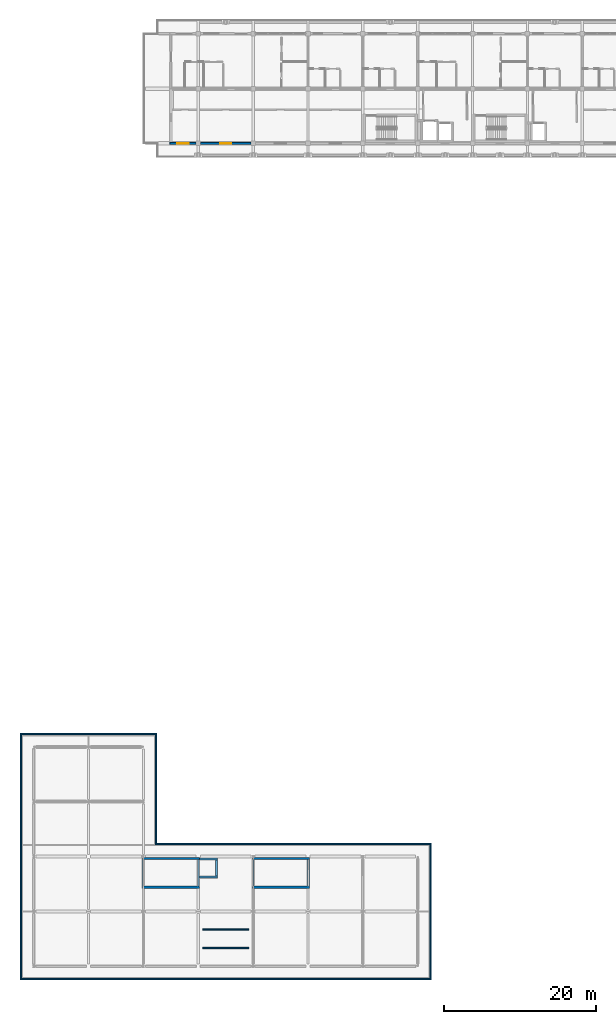
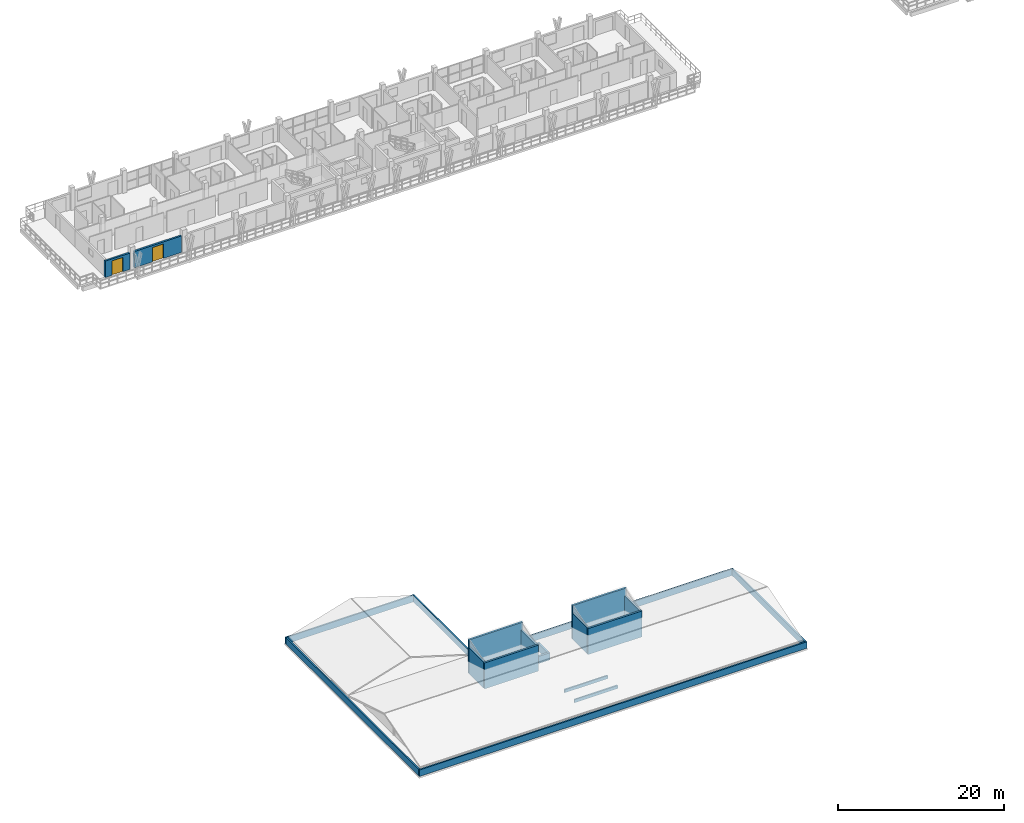
# One storey, part 34 of 60: 21 walls, 2 doors, 2 openings.
"""IFC4 building model written with IfcOpenShell, lengths in metres."""

from ifc_helpers import new_model, si_unit, direction, frame, frame_2d, origin, place, context, subcontext, project, spatial, rectangle, extrude, material, layer, layer_set, type_object, element, fill, save


model = new_model("IFC4")

# Units and contexts
model_context = context("Model", 3, precision=1e-05, world=origin(), true_north=direction((0.0, 1.0)))
body_context = subcontext(model_context, "Body", "Model", "MODEL_VIEW")
ifc_project = project(units=[si_unit("LENGTHUNIT", "METRE"), si_unit("AREAUNIT", "SQUARE_METRE"), si_unit("VOLUMEUNIT", "CUBIC_METRE"), si_unit("PLANEANGLEUNIT", "RADIAN"), si_unit("MASSUNIT", "GRAM", prefix="KILO")], contexts=[model_context])

# Site, building, storey
site_placement = place(None, origin())
site = spatial("IfcSite", under=ifc_project, at=site_placement, CompositionType="ELEMENT")
building_placement = place(site_placement, origin())
building = spatial("IfcBuilding", under=site, at=building_placement, Name="Suanplinth Sawtooth Commons", CompositionType="ELEMENT")
storey_placement = place(building_placement, frame((0.0, 0.0, 31.5)))
storey = spatial("IfcBuildingStorey", under=building, at=storey_placement, Name="L09", CompositionType="ELEMENT", Elevation=31.5)

# Wall, opening, door
ifc_material_1 = material(Name="Precast concrete C40/50", Category="concrete")
ifc_layer_1 = layer(ifc_material_1, 0.260009765625, Name="Insulated precast courtyard facade wall 260mm")
ifc_layer_set_1 = layer_set([ifc_layer_1], Name="Precast concrete C40/50")
wall_type_1 = type_object("IfcWallType", Name="W-EX02", PredefinedType="ELEMENTEDWALL", material=ifc_layer_set_1)
wall_1_placement = place(storey_placement, frame((17.8701171875, 108.0, 0.0), z_axis=(0.0, 0.0, 1.0), x_axis=(1.0, 0.0, 0.0)))
wall_1 = element("IfcWall", 1, at=wall_1_placement, inside=storey, type_object=wall_type_1, Name="Courtyard Wall W-L09-A-S-0", PredefinedType="ELEMENTEDWALL", context=body_context, shape_type="SweptSolid", body=[
    extrude(rectangle(XDim=3.429931640625, YDim=0.260009765625, at=frame_2d((1.71484375, 0.0))), origin(), (0.0, 0.0, 1.0), 2.4150390625),
])
opening_1_placement = place(wall_1_placement, frame((0.965087890625, 0.0, 0.0)))
opening_1 = element("IfcOpeningElement", 2, at=opening_1_placement, cuts=wall_1, Name="Opening ED0689", PredefinedType="OPENING", context=body_context, shape_type="SweptSolid", body=[
    extrude(rectangle(XDim=1.5, YDim=2.1201171875, at=frame_2d((0.75, 1.06005859375))), frame((0.0, 0.14501953125, 0.0), z_axis=(0.0, -1.0, 0.0), x_axis=(1.0, 0.0, 0.0)), (0.0, 0.0, 1.0), 0.289794921875),
])
ifc_material_2 = material(Name="Anodized aluminium and low-E glass", Category="aluminium")
door_type = type_object("IfcDoorType", Name="SD-03", OperationType="SLIDING_TO_LEFT", PredefinedType="DOOR", material=ifc_material_2)
door_1_placement = place(opening_1_placement, frame((1.5, 0.0, 0.0), z_axis=(0.0, 0.0, 1.0), x_axis=(-1.0, 0.0, 0.0)))
door_1 = element("IfcDoor", 3, at=door_1_placement, inside=storey, type_object=door_type, Name="Courtyard Balcony Sliding Door L09-A-S-0", OperationType="SLIDING_TO_LEFT", OverallHeight=2.1201171875, OverallWidth=1.5, PredefinedType="DOOR", context=body_context, shape_type="SweptSolid", body=[
    extrude(rectangle(XDim=1.5, YDim=2.1201171875, at=frame_2d((0.75, 1.06005859375))), frame((0.0, 0.02490234375, 0.0), z_axis=(0.0, -1.0, 0.0), x_axis=(1.0, 0.0, 0.0)), (0.0, 0.0, 1.0), 0.050048828125),
])
fill(opening_1, door_1)

wall_2_placement = place(storey_placement, frame((21.89990234375, 108.0, 0.0), z_axis=(0.0, 0.0, 1.0), x_axis=(1.0, 0.0, 0.0)))
wall_2 = element("IfcWall", 4, at=wall_2_placement, inside=storey, type_object=wall_type_1, Name="Courtyard Wall W-L09-A-S-1", PredefinedType="ELEMENTEDWALL", context=body_context, shape_type="SweptSolid", body=[
    extrude(rectangle(XDim=6.60009765625, YDim=0.260009765625, at=frame_2d((3.300048828125, 0.0))), origin(), (0.0, 0.0, 1.0), 2.4150390625),
])
opening_2_placement = place(wall_2_placement, frame((2.550048828125, 0.0, 0.0)))
opening_2 = element("IfcOpeningElement", 5, at=opening_2_placement, cuts=wall_2, Name="Opening ED0691", PredefinedType="OPENING", context=body_context, shape_type="SweptSolid", body=[
    extrude(rectangle(XDim=1.5, YDim=2.1201171875, at=frame_2d((0.75, 1.06005859375))), frame((0.0, 0.14501953125, 0.0), z_axis=(0.0, -1.0, 0.0), x_axis=(1.0, 0.0, 0.0)), (0.0, 0.0, 1.0), 0.289794921875),
])
door_2_placement = place(opening_2_placement, frame((1.5, 0.0, 0.0), z_axis=(0.0, 0.0, 1.0), x_axis=(-1.0, 0.0, 0.0)))
door_2 = element("IfcDoor", 6, at=door_2_placement, inside=storey, type_object=door_type, Name="Courtyard Balcony Sliding Door L09-A-S-1", OperationType="SLIDING_TO_LEFT", OverallHeight=2.1201171875, OverallWidth=1.5, PredefinedType="DOOR", context=body_context, shape_type="SweptSolid", body=[
    extrude(rectangle(XDim=1.5, YDim=2.1201171875, at=frame_2d((0.75, 1.06005859375))), frame((0.0, 0.02490234375, 0.0), z_axis=(0.0, -1.0, 0.0), x_axis=(1.0, 0.0, 0.0)), (0.0, 0.0, 1.0), 0.050048828125),
])
fill(opening_2, door_2)

# Walls
ifc_layer_2 = layer(ifc_material_1, 0.199951171875, Name="Roof perimeter precast parapet wall 200mm")
ifc_layer_set_2 = layer_set([ifc_layer_2], Name="Precast concrete C40/50")
wall_type_2 = type_object("IfcWallType", Name="W-PR01", PredefinedType="PARAPET", material=ifc_layer_set_2)
wall_3_placement = place(storey_placement, frame((-1.659912109375, -1.56005859375, 0.0), z_axis=(0.0, 0.0, 1.0), x_axis=(0.0, 1.0, 0.0)))
element("IfcWall", 7, at=wall_3_placement, inside=storey, type_object=wall_type_2, Name="L09 Block D Overhanging Roof Edge Parapet 1", PredefinedType="PARAPET", context=body_context, shape_type="SweptSolid", body=[
    extrude(rectangle(XDim=31.920166015625, YDim=0.199951171875, at=frame_2d((15.9599609375, 0.0))), origin(), (0.0, 0.0, 1.0), 0.949951171875),
])
wall_4_placement = place(storey_placement, frame((-1.760009765625, 30.4599609375, 0.0), z_axis=(0.0, 0.0, 1.0), x_axis=(1.0, 0.0, 0.0)))
element("IfcWall", 8, at=wall_4_placement, inside=storey, type_object=wall_type_2, Name="L09 Block D Overhanging Roof Edge Parapet 2", PredefinedType="PARAPET", context=body_context, shape_type="SweptSolid", body=[
    extrude(rectangle(XDim=17.919921875, YDim=0.199951171875, at=frame_2d((8.9599609375, 0.0))), origin(), (0.0, 0.0, 1.0), 0.949951171875),
])
wall_5_placement = place(storey_placement, frame((16.06005859375, 30.360107421875, 0.0), z_axis=(0.0, 0.0, 1.0), x_axis=(0.0, -1.0, 0.0)))
element("IfcWall", 9, at=wall_5_placement, inside=storey, type_object=wall_type_2, Name="L09 Block D Overhanging Roof Edge Parapet 3", PredefinedType="PARAPET", context=body_context, shape_type="SweptSolid", body=[
    extrude(rectangle(XDim=14.2001953125, YDim=0.199951171875, at=frame_2d((7.10009765625, 0.0))), origin(), (0.0, 0.0, 1.0), 0.949951171875),
])
wall_6_placement = place(storey_placement, frame((15.9599609375, 16.06005859375, 0.0), z_axis=(0.0, 0.0, 1.0), x_axis=(1.0, 0.0, 0.0)))
element("IfcWall", 10, at=wall_6_placement, inside=storey, type_object=wall_type_2, Name="L09 Block D Overhanging Roof Edge Parapet 4", PredefinedType="PARAPET", context=body_context, shape_type="SweptSolid", body=[
    extrude(rectangle(XDim=36.199951171875, YDim=0.199951171875, at=frame_2d((18.10009765625, 0.0))), origin(), (0.0, 0.0, 1.0), 0.949951171875),
])
wall_7_placement = place(storey_placement, frame((52.06005859375, 15.9599609375, 0.0), z_axis=(0.0, 0.0, 1.0), x_axis=(0.0, -1.0, 0.0)))
element("IfcWall", 11, at=wall_7_placement, inside=storey, type_object=wall_type_2, Name="L09 Block D Overhanging Roof Edge Parapet 5", PredefinedType="PARAPET", context=body_context, shape_type="SweptSolid", body=[
    extrude(rectangle(XDim=17.52001953125, YDim=0.199951171875, at=frame_2d((8.760009765625, 0.0))), origin(), (0.0, 0.0, 1.0), 0.949951171875),
])
wall_8_placement = place(storey_placement, frame((52.159912109375, -1.659912109375, 0.0), z_axis=(0.0, 0.0, 1.0), x_axis=(-1.0, 0.0, 0.0)))
element("IfcWall", 12, at=wall_8_placement, inside=storey, type_object=wall_type_2, Name="L09 Block D Overhanging Roof Edge Parapet 6", PredefinedType="PARAPET", context=body_context, shape_type="SweptSolid", body=[
    extrude(rectangle(XDim=53.919921875, YDim=0.199951171875, at=frame_2d((26.9599609375, 0.0))), origin(), (0.0, 0.0, 1.0), 0.949951171875),
])
for number, where, z_axis, x_axis, name in (
    (13, (22.199951171875, 2.39990234375, 0.0), (0.0, 0.0, 1.0), (1.0, 0.0, 0.0), "L09 Block D Roof Solar Upstand Kerb 1"),
    (14, (22.199951171875, 4.800048828125, 0.0), (0.0, 0.0, 1.0), (1.0, 0.0, 0.0), "L09 Block D Roof Solar Upstand Kerb 2"),
):
    element("IfcWall", number, at=place(storey_placement, frame(where, z_axis=z_axis, x_axis=x_axis)), inside=storey, type_object=wall_type_2, Name=name, PredefinedType="PARAPET", context=body_context, shape_type="SweptSolid", body=[
        extrude(rectangle(XDim=6.0, YDim=0.199951171875, at=frame_2d((3.0, 0.0))), origin(), (0.0, 0.0, 1.0), 0.449951171875),
    ])
ifc_layer_3 = layer(ifc_material_1, 0.27001953125, Name="Exterior lift-overrun structural shear wall 270mm")
ifc_layer_set_3 = layer_set([ifc_layer_3], Name="Precast concrete C40/50")
wall_type_3 = type_object("IfcWallType", Name="W-SH02", PredefinedType="SHEAR", material=ifc_layer_set_3)
wall_9_placement = place(storey_placement, frame((14.235107421875, 10.3701171875, 0.0), z_axis=(0.0, 0.0, 1.0), x_axis=(1.0, 0.0, 0.0)))
element("IfcWall", 15, at=wall_9_placement, inside=storey, type_object=wall_type_3, Name="Stair ST-W1 Headhouse Wall S", PredefinedType="SHEAR", context=body_context, shape_type="SweptSolid", body=[
    extrude(rectangle(XDim=7.52978515625, YDim=0.27001953125, at=frame_2d((3.764892578125, 0.0))), origin(), (0.0, 0.0, 1.0), 3.820068359375),
])
wall_10_placement = place(storey_placement, frame((14.235107421875, 14.1298828125, 0.0), z_axis=(0.0, 0.0, 1.0), x_axis=(1.0, 0.0, 0.0)))
element("IfcWall", 16, at=wall_10_placement, inside=storey, type_object=wall_type_3, Name="Stair ST-W1 Headhouse Wall N", PredefinedType="SHEAR", context=body_context, shape_type="SweptSolid", body=[
    extrude(rectangle(XDim=7.52978515625, YDim=0.27001953125, at=frame_2d((3.764892578125, 0.0))), origin(), (0.0, 0.0, 1.0), 4.919921875),
])
for number, where, z_axis, x_axis, name in (
    (17, (14.3701171875, 10.5048828125, 0.0), (0.0, 0.0, 1.0), (0.0, 1.0, 0.0), "Stair ST-W1 Headhouse Wall W"),
    (18, (21.6298828125, 10.5048828125, 0.0), (0.0, 0.0, 1.0), (0.0, 1.0, 0.0), "Stair ST-W1 Headhouse Wall E"),
):
    element("IfcWall", number, at=place(storey_placement, frame(where, z_axis=z_axis, x_axis=x_axis)), inside=storey, type_object=wall_type_3, Name=name, PredefinedType="SHEAR", context=body_context, shape_type="SweptSolid", body=[
        extrude(rectangle(XDim=3.490234375, YDim=0.27001953125, at=frame_2d((1.7451171875, 0.0))), origin(), (0.0, 0.0, 1.0), 3.820068359375),
    ])
wall_11_placement = place(storey_placement, frame((28.635009765625, 10.3701171875, 0.0), z_axis=(0.0, 0.0, 1.0), x_axis=(1.0, 0.0, 0.0)))
element("IfcWall", 19, at=wall_11_placement, inside=storey, type_object=wall_type_3, Name="Stair ST-W2 Headhouse Wall S", PredefinedType="SHEAR", context=body_context, shape_type="SweptSolid", body=[
    extrude(rectangle(XDim=7.530029296875, YDim=0.27001953125, at=frame_2d((3.76513671875, 0.0))), origin(), (0.0, 0.0, 1.0), 3.820068359375),
])
wall_12_placement = place(storey_placement, frame((28.635009765625, 14.1298828125, 0.0), z_axis=(0.0, 0.0, 1.0), x_axis=(1.0, 0.0, 0.0)))
element("IfcWall", 20, at=wall_12_placement, inside=storey, type_object=wall_type_3, Name="Stair ST-W2 Headhouse Wall N", PredefinedType="SHEAR", context=body_context, shape_type="SweptSolid", body=[
    extrude(rectangle(XDim=7.530029296875, YDim=0.27001953125, at=frame_2d((3.76513671875, 0.0))), origin(), (0.0, 0.0, 1.0), 4.919921875),
])
for number, where, z_axis, x_axis, name in (
    (21, (28.77001953125, 10.5048828125, 0.0), (0.0, 0.0, 1.0), (0.0, 1.0, 0.0), "Stair ST-W2 Headhouse Wall W"),
    (22, (36.030029296875, 10.5048828125, 0.0), (0.0, 0.0, 1.0), (0.0, 1.0, 0.0), "Stair ST-W2 Headhouse Wall E"),
):
    element("IfcWall", number, at=place(storey_placement, frame(where, z_axis=z_axis, x_axis=x_axis)), inside=storey, type_object=wall_type_3, Name=name, PredefinedType="SHEAR", context=body_context, shape_type="SweptSolid", body=[
        extrude(rectangle(XDim=3.490234375, YDim=0.27001953125, at=frame_2d((1.7451171875, 0.0))), origin(), (0.0, 0.0, 1.0), 3.820068359375),
    ])
for number, where, z_axis, x_axis, name in (
    (23, (21.764892578125, 11.715087890625, 0.0), (0.0, 0.0, 1.0), (1.0, 0.0, 0.0), "Lift Overrun Wall LF6 S"),
    (24, (21.764892578125, 14.0849609375, 0.0), (0.0, 0.0, 1.0), (1.0, 0.0, 0.0), "Lift Overrun Wall LF6 N"),
):
    element("IfcWall", number, at=place(storey_placement, frame(where, z_axis=z_axis, x_axis=x_axis)), inside=storey, type_object=wall_type_3, Name=name, PredefinedType="SHEAR", context=body_context, shape_type="SweptSolid", body=[
        extrude(rectangle(XDim=2.355224609375, YDim=0.27001953125, at=frame_2d((1.177734375, 0.0))), origin(), (0.0, 0.0, 1.0), 1.050048828125),
    ])
wall_13_placement = place(storey_placement, frame((23.985107421875, 11.85009765625, 0.0), z_axis=(0.0, 0.0, 1.0), x_axis=(0.0, 1.0, 0.0)))
element("IfcWall", 25, at=wall_13_placement, inside=storey, type_object=wall_type_3, Name="Lift Overrun Wall LF6 E", PredefinedType="SHEAR", context=body_context, shape_type="SweptSolid", body=[
    extrude(rectangle(XDim=2.099853515625, YDim=0.27001953125, at=frame_2d((1.0498046875, 0.0))), origin(), (0.0, 0.0, 1.0), 1.050048828125),
])

save(model, "model.ifc")
